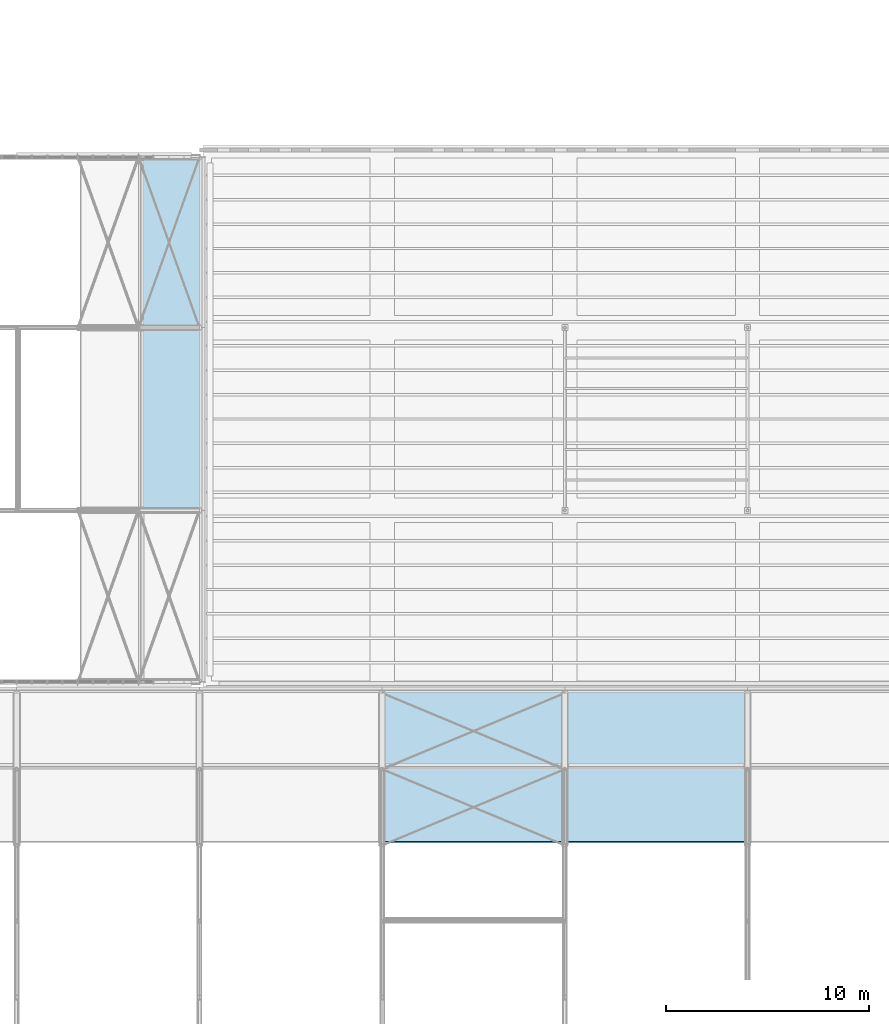
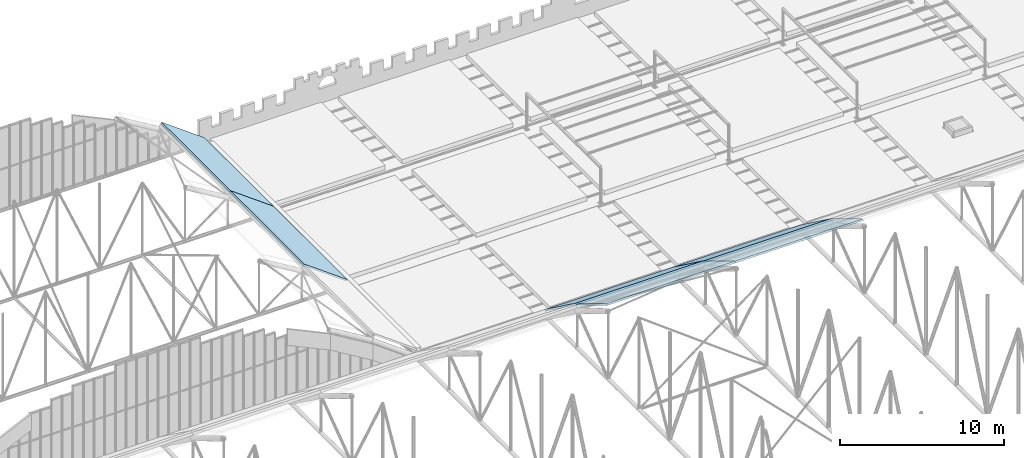
# One storey, part 98 of 153: 6 slabs.
"""IFC4 building model written with IfcOpenShell, lengths in metres."""

from ifc_helpers import new_model, si_unit, direction, frame, origin, place, context, subcontext, project, spatial, polyline, outline, extrude, material, layer, layer_set, type_object, element, save


model = new_model("IFC4")

# Units and contexts
model_context = context("Model", 3, precision=1e-05, world=origin(), true_north=direction((0.0, 1.0)))
body_context = subcontext(model_context, "Body", "Model", "MODEL_VIEW")
ifc_project = project(units=[si_unit("LENGTHUNIT", "METRE"), si_unit("AREAUNIT", "SQUARE_METRE"), si_unit("VOLUMEUNIT", "CUBIC_METRE"), si_unit("PLANEANGLEUNIT", "RADIAN"), si_unit("MASSUNIT", "GRAM", prefix="KILO")], contexts=[model_context])

# Site, building, storey
site_placement = place(None, origin())
site = spatial("IfcSite", under=ifc_project, at=site_placement, CompositionType="ELEMENT")
building_placement = place(site_placement, origin())
building = spatial("IfcBuilding", under=site, at=building_placement, Name="Baradari Gate Terminus", CompositionType="ELEMENT")
storey_placement = place(building_placement, frame((0.0, 0.0, 11.699951171875)))
storey = spatial("IfcBuildingStorey", under=building, at=storey_placement, Name="L02", CompositionType="ELEMENT", Elevation=11.699951171875)

# Slabs
ifc_material_1 = material(Name="Aluminium", Category="aluminium")
ifc_layer_1 = layer(ifc_material_1, 0.1201171875)
ifc_layer_set_1 = layer_set([ifc_layer_1], Name="Aluminium")
slab_type_1 = type_object("IfcSlabType", Name="Hall vault roof panel", PredefinedType="ROOF", material=ifc_layer_set_1)
slab_1_placement = place(storey_placement, frame((168.204833984375, 90.0, 2.750732421875), z_axis=(0.59064081852, 0.0, 0.806934584399), x_axis=(0.0, 1.0, 0.0)))
element("IfcSlab", 1, at=slab_1_placement, inside=storey, type_object=slab_type_1, Name="RF/L02/VR2-RP11", PredefinedType="ROOF", context=body_context, shape_type="SweptSolid", body=[
    extrude(outline(polyline([(0.0, 0.0), (9.0, 0.0), (9.0, -3.7350190138045614), (0.0, -3.7350190138045614), (0.0, 0.0)])), origin(), (0.0, 0.0, -1.0), 0.1201171875),
])
slab_2_placement = place(storey_placement, frame((168.204833984375, 99.0, 2.750732421875), z_axis=(0.59064081852, 0.0, 0.806934584399), x_axis=(0.0, 1.0, 0.0)))
element("IfcSlab", 2, at=slab_2_placement, inside=storey, type_object=slab_type_1, Name="RF/L02/VR3-RP11", PredefinedType="ROOF", context=body_context, shape_type="SweptSolid", body=[
    extrude(outline(polyline([(0.0, 0.0), (8.39990234375, 0.0), (8.39990234375, -3.7350190138045614), (0.0, -3.7350190138045614), (0.0, 0.0)])), origin(), (0.0, 0.0, -1.0), 0.1201171875),
])
ifc_material_2 = material(Name="Aluminium", Category="aluminium")
ifc_layer_2 = layer(ifc_material_2, 0.1201171875)
ifc_layer_set_2 = layer_set([ifc_layer_2], Name="Aluminium")
slab_type_2 = type_object("IfcSlabType", Name="Shed roof panel", PredefinedType="ROOF", material=ifc_layer_set_2)
slab_3_placement = place(storey_placement, frame((180.0, 73.680908203125, 5.590576171875), z_axis=(0.0, 0.513297855318, 0.85821052879), x_axis=(1.0, 0.0, 0.0)))
element("IfcSlab", 3, at=slab_3_placement, inside=storey, type_object=slab_type_2, Name="RF/L02/B189-RP10", PredefinedType="ROOF", context=body_context, shape_type="SweptSolid", body=[
    extrude(outline(polyline([(0.0, 0.0), (9.0, 0.0), (9.0, 4.407677040601449), (0.0, 4.407677040601449), (0.0, 0.0)])), origin(), (0.0, 0.0, -1.0), 0.1201171875),
])
slab_4_placement = place(storey_placement, frame((180.0, 77.463623046875, 3.328125), z_axis=(0.0, 0.590775958062, 0.806835650784), x_axis=(1.0, 0.0, 0.0)))
element("IfcSlab", 4, at=slab_4_placement, inside=storey, type_object=slab_type_2, Name="RF/L02/B189-RP11", PredefinedType="ROOF", context=body_context, shape_type="SweptSolid", body=[
    extrude(outline(polyline([(0.0, 0.0), (9.0, 0.0), (9.0, 4.665639518056), (0.0, 4.665639518056), (0.0, 0.0)])), origin(), (0.0, 0.0, -1.0), 0.1201171875),
])
slab_5_placement = place(storey_placement, frame((189.0, 73.680908203125, 5.590576171875), z_axis=(0.0, 0.513297855318, 0.85821052879), x_axis=(1.0, 0.0, 0.0)))
element("IfcSlab", 5, at=slab_5_placement, inside=storey, type_object=slab_type_2, Name="RF/L02/B198-RP10", PredefinedType="ROOF", context=body_context, shape_type="SweptSolid", body=[
    extrude(outline(polyline([(0.0, 0.0), (9.0, 0.0), (9.0, 4.407677040601449), (0.0, 4.407677040601449), (0.0, 0.0)])), origin(), (0.0, 0.0, -1.0), 0.1201171875),
])
slab_6_placement = place(storey_placement, frame((189.0, 77.463623046875, 3.328125), z_axis=(0.0, 0.590775958062, 0.806835650784), x_axis=(1.0, 0.0, 0.0)))
element("IfcSlab", 6, at=slab_6_placement, inside=storey, type_object=slab_type_2, Name="RF/L02/B198-RP11", PredefinedType="ROOF", context=body_context, shape_type="SweptSolid", body=[
    extrude(outline(polyline([(0.0, 0.0), (9.0, 0.0), (9.0, 4.665639518056), (0.0, 4.665639518056), (0.0, 0.0)])), origin(), (0.0, 0.0, -1.0), 0.1201171875),
])

save(model, "model.ifc")
